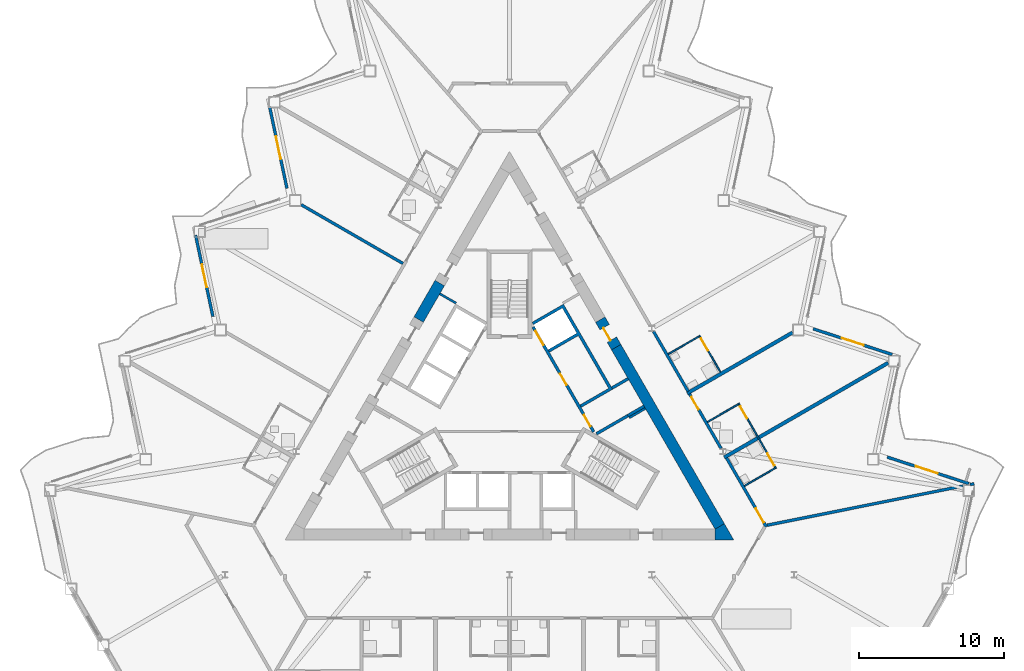
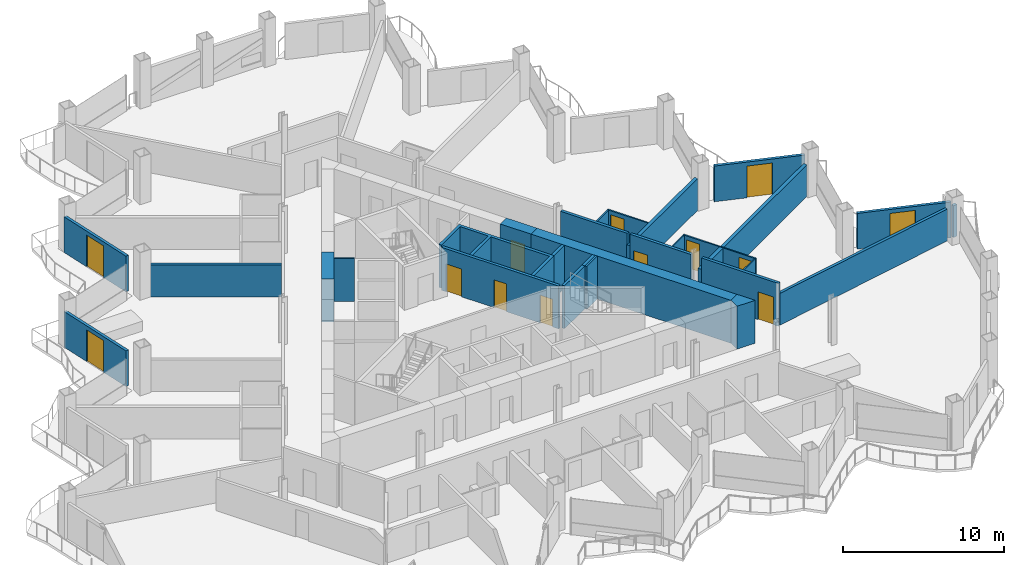
# One storey, part 13 of 23: 28 walls, 13 doors, 13 openings.
"""IFC4 building model written with IfcOpenShell, lengths in metres."""

from ifc_helpers import new_model, si_unit, direction, frame, frame_2d, origin, place, context, subcontext, project, spatial, polyline, rectangle, outline, extrude, material, layer, layer_set, type_object, element, fill, save


model = new_model("IFC4")

# Units and contexts
model_context = context("Model", 3, precision=1e-05, world=origin(), true_north=direction((0.0, 1.0)))
body_context = subcontext(model_context, "Body", "Model", "MODEL_VIEW")
ifc_project = project(units=[si_unit("LENGTHUNIT", "METRE"), si_unit("AREAUNIT", "SQUARE_METRE"), si_unit("VOLUMEUNIT", "CUBIC_METRE"), si_unit("PLANEANGLEUNIT", "RADIAN"), si_unit("MASSUNIT", "GRAM", prefix="KILO")], contexts=[model_context])

# Site, building, storey
site_placement = place(None, origin())
site = spatial("IfcSite", under=ifc_project, at=site_placement, CompositionType="ELEMENT")
building_placement = place(site_placement, origin())
building = spatial("IfcBuilding", under=site, at=building_placement, Name="Cormorant Prow Tower", CompositionType="ELEMENT")
storey_placement = place(building_placement, frame((0.0, 0.0, 172.800048828125)))
storey = spatial("IfcBuildingStorey", under=building, at=storey_placement, Name="L36", CompositionType="ELEMENT", Elevation=172.800048828125)

# Walls
ifc_material_1 = material(Name="Gypsum board partition")
ifc_layer_1 = layer(ifc_material_1, 0.14990234375)
ifc_layer_set_1 = layer_set([ifc_layer_1], Name="Gypsum board partition")
wall_type_1 = type_object("IfcWallType", Name="Core partition 150", PredefinedType="PARTITIONING", material=ifc_layer_set_1)
for number, where, z_axis, x_axis, name in (
    (1, (8.268310546875, -0.509033203125, 0.0), (0.0, 0.0, 1.0), (0.866003189247, 0.500038474733, 0.0), "Service room partition"),
    (2, (-3.693359375, 7.4150390625, 0.0), (0.0, 0.0, 1.0), (-0.866003189247, 0.500038474733, 0.0), "Service room partition"),
):
    element("IfcWall", number, at=place(storey_placement, frame(where, z_axis=z_axis, x_axis=x_axis)), inside=storey, type_object=wall_type_1, Name=name, PredefinedType="PARTITIONING", context=body_context, shape_type="SweptSolid", body=[
        extrude(rectangle(XDim=1.29296875, YDim=0.14990234375, at=frame_2d((0.646484375, 0.0))), origin(), (0.0, 0.0, 1.0), 3.25),
    ])
ifc_material_2 = material(Name="Concrete 8000 psi", Category="concrete")
ifc_layer_2 = layer(ifc_material_2, 0.75)
ifc_layer_set_2 = layer_set([ifc_layer_2], Name="Concrete 8000 psi")
wall_type_2 = type_object("IfcWallType", Name="Core shear wall 750", PredefinedType="SHEAR", material=ifc_layer_set_2)
wall_1_placement = place(storey_placement, frame((14.525634765625, -8.011474609375, 0.0), z_axis=(0.0, 0.0, 1.0), x_axis=(-0.499994855372, 0.866028374016, 0.0)))
element("IfcWall", 3, at=wall_1_placement, inside=storey, type_object=wall_type_2, Name="Core wall", PredefinedType="SHEAR", context=body_context, shape_type="SweptSolid", body=[
    extrude(rectangle(XDim=14.301025390625, YDim=0.75, at=frame_2d((7.150390625, 0.0))), origin(), (0.0, 0.0, 1.0), 3.25),
])
wall_2_placement = place(storey_placement, frame((-4.8173828125, 8.803955078125, 0.0), z_axis=(0.0, 0.0, 1.0), x_axis=(-0.500029273391, -0.866008502124, 0.0)))
element("IfcWall", 4, at=wall_2_placement, inside=storey, type_object=wall_type_2, Name="Core wall", PredefinedType="SHEAR", context=body_context, shape_type="SweptSolid", body=[
    extrude(rectangle(XDim=2.915771484375, YDim=0.75, at=frame_2d((1.4580078125, 0.0))), origin(), (0.0, 0.0, 1.0), 3.25),
])
wall_3_placement = place(storey_placement, origin())
element("IfcWall", 5, at=wall_3_placement, inside=storey, type_object=wall_type_2, Name="Core wall corner", PredefinedType="SHEAR", context=body_context, shape_type="SweptSolid", body=[
    extrude(outline(polyline([(14.200927734375, -8.948974609375), (14.200927734375, -8.198974609375), (14.8505859375, -7.823974609375), (15.5, -8.948974609375), (14.200927734375, -8.948974609375)])), origin(), (0.0, 0.0, 1.0), 3.25),
])

# Wall, opening, door
wall_4_placement = place(storey_placement, frame((7.375244140625, 4.37353515625, 0.0), z_axis=(0.0, 0.0, 1.0), x_axis=(-0.499946605688, 0.86605622881, 0.0)))
wall_4 = element("IfcWall", 6, at=wall_4_placement, inside=storey, type_object=wall_type_2, Name="Core wall door panel", PredefinedType="SHEAR", context=body_context, shape_type="SweptSolid", body=[
    extrude(rectangle(XDim=2.199951171875, YDim=0.75, at=frame_2d((1.10009765625, 0.0))), origin(), (0.0, 0.0, 1.0), 3.25),
])
opening_1_placement = place(wall_4_placement, frame((0.60009765625, 0.0, 0.0)))
opening_1 = element("IfcOpeningElement", 7, at=opening_1_placement, cuts=wall_4, Name="Opening L36-C19", PredefinedType="OPENING", context=body_context, shape_type="SweptSolid", body=[
    extrude(rectangle(XDim=1.0, YDim=2.10009765625, at=frame_2d((0.5, 1.050048828125))), frame((0.0, 0.385009765625, 0.0), z_axis=(0.0, -1.0, 0.0), x_axis=(1.0, 0.0, 0.0)), (0.0, 0.0, 1.0), 0.77001953125),
])
ifc_material_3 = material(Name="Painted steel", Category="steel")
door_type_1 = type_object("IfcDoorType", Name="Service door 1000x2100", OperationType="NOTDEFINED", PredefinedType="DOOR", material=ifc_material_3)
door_1_placement = place(opening_1_placement, origin())
door_1 = element("IfcDoor", 8, at=door_1_placement, inside=storey, type_object=door_type_1, Name="Core door, Telecom room", OperationType="SINGLE_SWING_LEFT", OverallHeight=2.10009765625, OverallWidth=1.0, PredefinedType="DOOR", context=body_context, shape_type="SweptSolid", body=[
    extrude(rectangle(XDim=1.0, YDim=2.10009765625, at=frame_2d((0.5, 1.050048828125))), frame((0.0, 0.1298828125, 0.0), z_axis=(0.0, -1.0, 0.0), x_axis=(1.0, 0.0, 0.0)), (0.0, 0.0, 1.0), 0.050048828125),
])
fill(opening_1, door_1)

ifc_material_4 = material(Name="Gypsum board corridor wall")
ifc_layer_3 = layer(ifc_material_4, 0.199951171875)
ifc_layer_set_3 = layer_set([ifc_layer_3], Name="Gypsum board corridor wall")
wall_type_3 = type_object("IfcWallType", Name="Corridor wall 200", PredefinedType="PARTITIONING", material=ifc_layer_set_3)
wall_5_placement = place(storey_placement, frame((15.001708984375, -3.285888671875, 0.0), z_axis=(0.0, 0.0, 1.0), x_axis=(0.500007607708, -0.866021011428, 0.0)))
wall_5 = element("IfcWall", 9, at=wall_5_placement, inside=storey, type_object=wall_type_3, Name="Corridor wall", PredefinedType="PARTITIONING", context=body_context, shape_type="SweptSolid", body=[
    extrude(rectangle(XDim=5.484375, YDim=0.199951171875, at=frame_2d((2.7421875, 0.0))), origin(), (0.0, 0.0, 1.0), 3.25),
])
opening_2_placement = place(wall_5_placement, frame((4.0322265625, 0.0, 0.0)))
opening_2 = element("IfcOpeningElement", 10, at=opening_2_placement, cuts=wall_5, Name="Opening L36-F14", PredefinedType="OPENING", context=body_context, shape_type="SweptSolid", body=[
    extrude(rectangle(XDim=1.10009765625, YDim=2.10009765625, at=frame_2d((0.550048828125, 1.050048828125))), frame((0.0, 0.10986328125, 0.0), z_axis=(0.0, -1.0, 0.0), x_axis=(1.0, 0.0, 0.0)), (0.0, 0.0, 1.0), 0.219970703125),
])
ifc_material_5 = material(Name="Timber door leaf", Category="wood")
door_type_2 = type_object("IfcDoorType", Name="Suite entrance door 1100x2100", OperationType="NOTDEFINED", PredefinedType="DOOR", material=ifc_material_5)
door_2_placement = place(opening_2_placement, origin())
door_2 = element("IfcDoor", 11, at=door_2_placement, inside=storey, type_object=door_type_2, Name="Junior suite door", OperationType="SINGLE_SWING_RIGHT", OverallHeight=2.10009765625, OverallWidth=1.10009765625, PredefinedType="DOOR", context=body_context, shape_type="SweptSolid", body=[
    extrude(rectangle(XDim=1.10009765625, YDim=2.10009765625, at=frame_2d((0.550048828125, 1.050048828125))), frame((0.0, 0.02490234375, 0.0), z_axis=(0.0, -1.0, 0.0), x_axis=(1.0, 0.0, 0.0)), (0.0, 0.0, 1.0), 0.050048828125),
])
fill(opening_2, door_2)

# Wall
wall_6_placement = place(storey_placement, frame((9.951904296875, 5.460693359375, 0.0), z_axis=(0.0, 0.0, 1.0), x_axis=(0.499990736708, -0.866030751883, 0.0)))
element("IfcWall", 12, at=wall_6_placement, inside=storey, type_object=wall_type_3, Name="Corridor wall", PredefinedType="PARTITIONING", context=body_context, shape_type="SweptSolid", body=[
    extrude(rectangle(XDim=4.77880859375, YDim=0.199951171875, at=frame_2d((2.389404296875, 0.0))), origin(), (0.0, 0.0, 1.0), 3.25),
])

# Wall, opening, door
wall_7_placement = place(storey_placement, frame((12.44384765625, 1.14453125, 0.0), z_axis=(0.0, 0.0, 1.0), x_axis=(0.500007404367, -0.866021128829, 0.0)))
wall_7 = element("IfcWall", 13, at=wall_7_placement, inside=storey, type_object=wall_type_3, Name="Corridor wall", PredefinedType="PARTITIONING", context=body_context, shape_type="SweptSolid", body=[
    extrude(rectangle(XDim=4.35107421875, YDim=0.199951171875, at=frame_2d((2.175537109375, 0.0))), origin(), (0.0, 0.0, 1.0), 3.25),
])
opening_3_placement = place(wall_7_placement, frame((0.25, 0.0, 0.0)))
opening_3 = element("IfcOpeningElement", 14, at=opening_3_placement, cuts=wall_7, Name="Opening L36-F16", PredefinedType="OPENING", context=body_context, shape_type="SweptSolid", body=[
    extrude(rectangle(XDim=1.0, YDim=2.10009765625, at=frame_2d((0.5, 1.050048828125))), frame((0.0, 0.10986328125, 0.0), z_axis=(0.0, -1.0, 0.0), x_axis=(1.0, 0.0, 0.0)), (0.0, 0.0, 1.0), 0.219970703125),
])
ifc_material_6 = material(Name="Timber door leaf", Category="wood")
door_type_3 = type_object("IfcDoorType", Name="Flat or room entrance door 1000x2100", OperationType="NOTDEFINED", PredefinedType="DOOR", material=ifc_material_6)
door_3_placement = place(opening_3_placement, origin())
door_3 = element("IfcDoor", 15, at=door_3_placement, inside=storey, type_object=door_type_3, Name="Guest room door", OperationType="SINGLE_SWING_LEFT", OverallHeight=2.10009765625, OverallWidth=1.0, PredefinedType="DOOR", context=body_context, shape_type="SweptSolid", body=[
    extrude(rectangle(XDim=1.0, YDim=2.10009765625, at=frame_2d((0.5, 1.050048828125))), frame((0.0, 0.02490234375, 0.0), z_axis=(0.0, -1.0, 0.0), x_axis=(1.0, 0.0, 0.0)), (0.0, 0.0, 1.0), 0.050048828125),
])
fill(opening_3, door_3)

# Walls
ifc_material_7 = material(Name="Gypsum board demising wall")
ifc_layer_4 = layer(ifc_material_7, 0.199951171875)
ifc_layer_set_4 = layer_set([ifc_layer_4], Name="Gypsum board demising wall")
wall_type_4 = type_object("IfcWallType", Name="Demising wall 200", PredefinedType="PARTITIONING", material=ifc_layer_set_4)
wall_8_placement = place(storey_placement, frame((17.7919921875, -7.92919921875, 0.0), z_axis=(0.0, 0.0, 1.0), x_axis=(0.980565709097, 0.196190953266, 0.0)))
element("IfcWall", 16, at=wall_8_placement, inside=storey, type_object=wall_type_4, Name="Demising wall", PredefinedType="PARTITIONING", context=body_context, shape_type="SweptSolid", body=[
    extrude(rectangle(XDim=13.805419921875, YDim=0.199951171875, at=frame_2d((6.90283203125, 0.0))), origin(), (0.0, 0.0, 1.0), 2.404052734375),
])
wall_9_placement = place(storey_placement, frame((-14.389892578125, 14.215087890625, 0.0), z_axis=(0.0, 0.0, 1.0), x_axis=(0.86602738064, -0.499996575971, 0.0)))
element("IfcWall", 17, at=wall_9_placement, inside=storey, type_object=wall_type_4, Name="Demising wall", PredefinedType="PARTITIONING", context=body_context, shape_type="SweptSolid", body=[
    extrude(rectangle(XDim=8.12060546875, YDim=0.199951171875, at=frame_2d((4.060302734375, 0.0))), origin(), (0.0, 0.0, 1.0), 2.404052734375),
])
wall_10_placement = place(storey_placement, frame((31.830810546875, -5.120361328125, 0.0), z_axis=(0.0, 0.0, 1.0), x_axis=(0.980512850695, 0.19645495571, 0.0)))
element("IfcWall", 18, at=wall_10_placement, inside=storey, type_object=wall_type_4, Name="Demising wall", PredefinedType="PARTITIONING", context=body_context, shape_type="SweptSolid", body=[
    extrude(rectangle(XDim=0.277099609375, YDim=0.199951171875, at=frame_2d((0.138671875, 0.0))), origin(), (0.0, 0.0, 1.0), 2.404052734375),
])

# Wall, openings, doors
ifc_material_8 = material(Name="Gypsum board partition")
ifc_layer_5 = layer(ifc_material_8, 0.10009765625)
ifc_layer_set_5 = layer_set([ifc_layer_5], Name="Gypsum board partition")
wall_type_5 = type_object("IfcWallType", Name="Internal partition 100", PredefinedType="PARTITIONING", material=ifc_layer_set_5)
wall_11_placement = place(storey_placement, frame((15.82080078125, 0.495361328125, 0.0), z_axis=(0.0, 0.0, 1.0), x_axis=(0.500006934395, -0.866021400173, 0.0)))
wall_11 = element("IfcWall", 19, at=wall_11_placement, inside=storey, type_object=wall_type_5, Name="Internal partition", PredefinedType="PARTITIONING", context=body_context, shape_type="SweptSolid", body=[
    extrude(rectangle(XDim=5.2001953125, YDim=0.10009765625, at=frame_2d((2.60009765625, 0.0))), origin(), (0.0, 0.0, 1.0), 2.404052734375),
])
opening_4_placement = place(wall_11_placement, frame((4.0, 0.0, 0.0)))
opening_4 = element("IfcOpeningElement", 20, at=opening_4_placement, cuts=wall_11, Name="Opening L36-F15", PredefinedType="OPENING", context=body_context, shape_type="SweptSolid", body=[
    extrude(rectangle(XDim=0.949951171875, YDim=2.10009765625, at=frame_2d((0.47509765625, 1.050048828125))), frame((0.0, 0.06005859375, 0.0), z_axis=(0.0, -1.0, 0.0), x_axis=(1.0, 0.0, 0.0)), (0.0, 0.0, 1.0), 0.1201171875),
])
opening_5_placement = place(wall_11_placement, frame((0.25, 0.0, 0.0)))
opening_5 = element("IfcOpeningElement", 21, at=opening_5_placement, cuts=wall_11, Name="Opening L36-F17", PredefinedType="OPENING", context=body_context, shape_type="SweptSolid", body=[
    extrude(rectangle(XDim=0.949951171875, YDim=2.10009765625, at=frame_2d((0.47509765625, 1.050048828125))), frame((0.0, 0.06005859375, 0.0), z_axis=(0.0, -1.0, 0.0), x_axis=(1.0, 0.0, 0.0)), (0.0, 0.0, 1.0), 0.1201171875),
])
ifc_material_9 = material(Name="Timber door leaf", Category="wood")
door_type_4 = type_object("IfcDoorType", Name="Bathroom door 950x2100", OperationType="NOTDEFINED", PredefinedType="DOOR", material=ifc_material_9)
door_4_placement = place(opening_4_placement, origin())
door_4 = element("IfcDoor", 22, at=door_4_placement, inside=storey, type_object=door_type_4, Name="Junior suite door", OperationType="SINGLE_SWING_RIGHT", OverallHeight=2.10009765625, OverallWidth=0.949951171875, PredefinedType="DOOR", context=body_context, shape_type="SweptSolid", body=[
    extrude(rectangle(XDim=0.949951171875, YDim=2.10009765625, at=frame_2d((0.47509765625, 1.050048828125))), frame((0.0, 0.02490234375, 0.0), z_axis=(0.0, -1.0, 0.0), x_axis=(1.0, 0.0, 0.0)), (0.0, 0.0, 1.0), 0.050048828125),
])
fill(opening_4, door_4)
door_5_placement = place(opening_5_placement, origin())
door_5 = element("IfcDoor", 23, at=door_5_placement, inside=storey, type_object=door_type_4, Name="Guest room door", OperationType="SINGLE_SWING_LEFT", OverallHeight=2.10009765625, OverallWidth=0.949951171875, PredefinedType="DOOR", context=body_context, shape_type="SweptSolid", body=[
    extrude(rectangle(XDim=0.949951171875, YDim=2.10009765625, at=frame_2d((0.47509765625, 1.050048828125))), frame((0.0, 0.02490234375, 0.0), z_axis=(0.0, -1.0, 0.0), x_axis=(1.0, 0.0, 0.0)), (0.0, 0.0, 1.0), 0.050048828125),
])
fill(opening_5, door_5)

# Wall, opening, door
wall_12_placement = place(storey_placement, frame((13.113037109375, 5.185546875, 0.0), z_axis=(0.0, 0.0, 1.0), x_axis=(0.499963291492, -0.866046596414, 0.0)))
wall_12 = element("IfcWall", 24, at=wall_12_placement, inside=storey, type_object=wall_type_5, Name="Internal partition", PredefinedType="PARTITIONING", context=body_context, shape_type="SweptSolid", body=[
    extrude(rectangle(XDim=2.925048828125, YDim=0.10009765625, at=frame_2d((1.46240234375, 0.0))), origin(), (0.0, 0.0, 1.0), 2.404052734375),
])
opening_6_placement = place(wall_12_placement, frame((0.25, 0.0, 0.0)))
opening_6 = element("IfcOpeningElement", 25, at=opening_6_placement, cuts=wall_12, Name="Opening L36-F19", PredefinedType="OPENING", context=body_context, shape_type="SweptSolid", body=[
    extrude(rectangle(XDim=0.949951171875, YDim=2.10009765625, at=frame_2d((0.47509765625, 1.050048828125))), frame((0.0, 0.06005859375, 0.0), z_axis=(0.0, -1.0, 0.0), x_axis=(1.0, 0.0, 0.0)), (0.0, 0.0, 1.0), 0.1201171875),
])
door_6_placement = place(opening_6_placement, origin())
door_6 = element("IfcDoor", 26, at=door_6_placement, inside=storey, type_object=door_type_4, Name="Executive suite bedroom door", OperationType="SINGLE_SWING_LEFT", OverallHeight=2.10009765625, OverallWidth=0.949951171875, PredefinedType="DOOR", context=body_context, shape_type="SweptSolid", body=[
    extrude(rectangle(XDim=0.949951171875, YDim=2.10009765625, at=frame_2d((0.47509765625, 1.050048828125))), frame((0.0, 0.02490234375, 0.0), z_axis=(0.0, -1.0, 0.0), x_axis=(1.0, 0.0, 0.0)), (0.0, 0.0, 1.0), 0.050048828125),
])
fill(opening_6, door_6)

# Walls
wall_13_placement = place(storey_placement, frame((16.230712890625, -5.214599609375, 0.0), z_axis=(0.0, 0.0, 1.0), x_axis=(0.866057815567, 0.499943856944, 0.0)))
element("IfcWall", 27, at=wall_13_placement, inside=storey, type_object=wall_type_5, Name="Internal partition", PredefinedType="PARTITIONING", context=body_context, shape_type="SweptSolid", body=[
    extrude(rectangle(XDim=2.449951171875, YDim=0.10009765625, at=frame_2d((1.22509765625, 0.0))), origin(), (0.0, 0.0, 1.0), 2.404052734375),
])
wall_14_placement = place(storey_placement, frame((13.680908203125, -0.7978515625, 0.0), z_axis=(0.0, 0.0, 1.0), x_axis=(0.866032905446, 0.499987006516, 0.0)))
element("IfcWall", 28, at=wall_14_placement, inside=storey, type_object=wall_type_5, Name="Internal partition", PredefinedType="PARTITIONING", context=body_context, shape_type="SweptSolid", body=[
    extrude(rectangle(XDim=2.44970703125, YDim=0.10009765625, at=frame_2d((1.224853515625, 0.0))), origin(), (0.0, 0.0, 1.0), 2.404052734375),
])
wall_15_placement = place(storey_placement, frame((10.972900390625, 3.89208984375, 0.0), z_axis=(0.0, 0.0, 1.0), x_axis=(0.866014668023, 0.500018594424, 0.0)))
element("IfcWall", 29, at=wall_15_placement, inside=storey, type_object=wall_type_5, Name="Internal partition", PredefinedType="PARTITIONING", context=body_context, shape_type="SweptSolid", body=[
    extrude(rectangle(XDim=2.4501953125, YDim=0.10009765625, at=frame_2d((1.22509765625, 0.0))), origin(), (0.0, 0.0, 1.0), 2.404052734375),
])

# Wall, openings, doors
ifc_material_10 = material(Name="Concrete 5000 psi", Category="concrete")
ifc_layer_6 = layer(ifc_material_10, 0.199951171875)
ifc_layer_set_6 = layer_set([ifc_layer_6], Name="Concrete 5000 psi")
wall_type_6 = type_object("IfcWallType", Name="Lift lobby wall 200", PredefinedType="SOLIDWALL", material=ifc_layer_set_6)
wall_16_placement = place(storey_placement, frame((5.817138671875, -1.4755859375, 0.0), z_axis=(0.0, 0.0, 1.0), x_axis=(-0.500002616675, 0.866023893041, 0.0)))
wall_16 = element("IfcWall", 30, at=wall_16_placement, inside=storey, type_object=wall_type_6, Name="Lift lobby wall, ENE block", PredefinedType="SOLIDWALL", context=body_context, shape_type="SweptSolid", body=[
    extrude(rectangle(XDim=8.373046875, YDim=0.199951171875, at=frame_2d((4.1865234375, 0.0))), origin(), (0.0, 0.0, 1.0), 3.25),
])
opening_7_placement = place(wall_16_placement, frame((0.4365234375, 0.0, 0.0)))
opening_7 = element("IfcOpeningElement", 31, at=opening_7_placement, cuts=wall_16, Name="Opening L36-C05", PredefinedType="OPENING", context=body_context, shape_type="SweptSolid", body=[
    extrude(rectangle(XDim=0.89990234375, YDim=2.10009765625, at=frame_2d((0.449951171875, 1.050048828125))), frame((0.0, 0.10986328125, 0.0), z_axis=(0.0, -1.0, 0.0), x_axis=(1.0, 0.0, 0.0)), (0.0, 0.0, 1.0), 0.219970703125),
])
opening_8_placement = place(wall_16_placement, frame((3.736572265625, 0.0, 0.0)))
opening_8 = element("IfcOpeningElement", 32, at=opening_8_placement, cuts=wall_16, Name="Opening L36-C06", PredefinedType="OPENING", context=body_context, shape_type="SweptSolid", body=[
    extrude(rectangle(XDim=0.89990234375, YDim=2.10009765625, at=frame_2d((0.449951171875, 1.050048828125))), frame((0.0, 0.10986328125, 0.0), z_axis=(0.0, -1.0, 0.0), x_axis=(1.0, 0.0, 0.0)), (0.0, 0.0, 1.0), 0.219970703125),
])
opening_9_placement = place(wall_16_placement, frame((6.9365234375, 0.0, 0.0)))
opening_9 = element("IfcOpeningElement", 33, at=opening_9_placement, cuts=wall_16, Name="Opening L36-C07", PredefinedType="OPENING", context=body_context, shape_type="SweptSolid", body=[
    extrude(rectangle(XDim=1.10009765625, YDim=2.10009765625, at=frame_2d((0.550048828125, 1.050048828125))), frame((0.0, 0.10986328125, 0.0), z_axis=(0.0, -1.0, 0.0), x_axis=(1.0, 0.0, 0.0)), (0.0, 0.0, 1.0), 0.219970703125),
])
ifc_material_11 = material(Name="Painted steel", Category="steel")
door_type_5 = type_object("IfcDoorType", Name="Lift landing door 1100x2100", OperationType="SLIDING_TO_LEFT", PredefinedType="DOOR", material=ifc_material_11)
door_7_placement = place(opening_9_placement, origin())
door_7 = element("IfcDoor", 34, at=door_7_placement, inside=storey, type_object=door_type_5, Name="Landing door MR1", OperationType="SLIDING_TO_LEFT", OverallHeight=2.10009765625, OverallWidth=1.10009765625, PredefinedType="DOOR", context=body_context, shape_type="SweptSolid", body=[
    extrude(rectangle(XDim=1.10009765625, YDim=2.10009765625, at=frame_2d((0.550048828125, 1.050048828125))), frame((0.0, 0.02490234375, 0.0), z_axis=(0.0, -1.0, 0.0), x_axis=(1.0, 0.0, 0.0)), (0.0, 0.0, 1.0), 0.050048828125),
])
fill(opening_9, door_7)
ifc_material_12 = material(Name="Painted steel", Category="steel")
door_type_6 = type_object("IfcDoorType", Name="Service door 900x2100", OperationType="NOTDEFINED", PredefinedType="DOOR", material=ifc_material_12)
door_8_placement = place(opening_7_placement, origin())
door_8 = element("IfcDoor", 35, at=door_8_placement, inside=storey, type_object=door_type_6, Name="Service door, Linen store", OperationType="SINGLE_SWING_LEFT", OverallHeight=2.10009765625, OverallWidth=0.89990234375, PredefinedType="DOOR", context=body_context, shape_type="SweptSolid", body=[
    extrude(rectangle(XDim=0.89990234375, YDim=2.10009765625, at=frame_2d((0.449951171875, 1.050048828125))), frame((0.0, 0.02490234375, 0.0), z_axis=(0.0, -1.0, 0.0), x_axis=(1.0, 0.0, 0.0)), (0.0, 0.0, 1.0), 0.050048828125),
])
fill(opening_7, door_8)
door_9_placement = place(opening_8_placement, origin())
door_9 = element("IfcDoor", 36, at=door_9_placement, inside=storey, type_object=door_type_6, Name="Service door, Refuse store", OperationType="SINGLE_SWING_LEFT", OverallHeight=2.10009765625, OverallWidth=0.89990234375, PredefinedType="DOOR", context=body_context, shape_type="SweptSolid", body=[
    extrude(rectangle(XDim=0.89990234375, YDim=2.10009765625, at=frame_2d((0.449951171875, 1.050048828125))), frame((0.0, 0.02490234375, 0.0), z_axis=(0.0, -1.0, 0.0), x_axis=(1.0, 0.0, 0.0)), (0.0, 0.0, 1.0), 0.050048828125),
])
fill(opening_8, door_9)

# Walls
ifc_material_13 = material(Name="Concrete 8000 psi", Category="concrete")
ifc_layer_7 = layer(ifc_material_13, 0.199951171875)
ifc_layer_set_7 = layer_set([ifc_layer_7], Name="Concrete 8000 psi")
wall_type_7 = type_object("IfcWallType", Name="Lift shaft wall 200", PredefinedType="SHEAR", material=ifc_layer_set_7)
wall_17_placement = place(storey_placement, origin())
element("IfcWall", 37, at=wall_17_placement, inside=storey, type_object=wall_type_7, Name="Lift shaft walls, ENE block", PredefinedType="SHEAR", context=body_context, shape_type="SweptSolid", body=[
    extrude(outline(polyline([(1.560546875, 6.09716796875), (3.730712890625, 7.35009765625), (7.130859375, 1.461181640625), (4.96044921875, 0.2080078125), (4.860595703125, 0.38134765625), (6.852294921875, 1.53125), (4.75244140625, 5.168701171875), (2.760498046875, 4.018798828125), (2.660400390625, 4.19189453125), (4.65234375, 5.341796875), (3.65234375, 7.073974609375), (1.660400390625, 5.923828125), (1.560546875, 6.09716796875)])), origin(), (0.0, 0.0, 1.0), 3.25),
])
wall_18_placement = place(storey_placement, origin())
element("IfcWall", 38, at=wall_18_placement, inside=storey, type_object=wall_type_7, Name="Lift shaft walls, ENE block", PredefinedType="SHEAR", context=body_context, shape_type="SweptSolid", body=[
    extrude(outline(polyline([(8.230712890625, -0.444091796875), (6.060546875, -1.697021484375), (5.96044921875, -1.52392578125), (8.130859375, -0.27099609375), (8.230712890625, -0.444091796875)])), origin(), (0.0, 0.0, 1.0), 3.25),
])
for number, where, z_axis, x_axis, name in (
    (39, (8.180908203125, -0.357421875, 0.0), (0.0, 0.0, 1.0), (0.866003189247, 0.500038474733, 0.0), "Store side wall"),
    (40, (7.080810546875, 1.547607421875, 0.0), (0.0, 0.0, 1.0), (0.866003189247, 0.500038474733, 0.0), "Store side wall"),
):
    element("IfcWall", number, at=place(storey_placement, frame(where, z_axis=z_axis, x_axis=x_axis)), inside=storey, type_object=wall_type_7, Name=name, PredefinedType="SHEAR", context=body_context, shape_type="SweptSolid", body=[
        extrude(rectangle(XDim=1.29296875, YDim=0.199951171875, at=frame_2d((0.646484375, 0.0))), origin(), (0.0, 0.0, 1.0), 3.25),
    ])
ifc_material_14 = material(Name="Acoustic gypsum party wall")
ifc_layer_8 = layer(ifc_material_14, 0.25)
ifc_layer_set_8 = layer_set([ifc_layer_8], Name="Acoustic gypsum party wall")
wall_type_8 = type_object("IfcWallType", Name="Suite party wall 250", PredefinedType="PARTITIONING", material=ifc_layer_set_8)
wall_19_placement = place(storey_placement, frame((14.8359375, -3.248779296875, 0.0), z_axis=(0.0, 0.0, 1.0), x_axis=(0.866022412254, 0.500005181446, 0.0)))
element("IfcWall", 41, at=wall_19_placement, inside=storey, type_object=wall_type_8, Name="Suite party wall", PredefinedType="PARTITIONING", context=body_context, shape_type="SweptSolid", body=[
    extrude(rectangle(XDim=13.080810546875, YDim=0.25, at=frame_2d((6.54052734375, 0.0))), origin(), (0.0, 0.0, 1.0), 2.404052734375),
])
wall_20_placement = place(storey_placement, frame((12.278076171875, 1.181640625, 0.0), z_axis=(0.0, 0.0, 1.0), x_axis=(0.866024457297, 0.500001639361, 0.0)))
element("IfcWall", 42, at=wall_20_placement, inside=storey, type_object=wall_type_8, Name="Suite party wall", PredefinedType="PARTITIONING", context=body_context, shape_type="SweptSolid", body=[
    extrude(rectangle(XDim=8.40234375, YDim=0.25, at=frame_2d((4.201171875, 0.0))), origin(), (0.0, 0.0, 1.0), 2.404052734375),
])

# Wall, opening, door
ifc_material_15 = material(Name="Terracotta", Category="masonry")
ifc_layer_9 = layer(ifc_material_15, 0.199951171875)
ifc_layer_set_9 = layer_set([ifc_layer_9], Name="Terracotta")
wall_type_9 = type_object("IfcWallType", Name="Terracotta jamb wall 200", PredefinedType="SOLIDWALL", material=ifc_layer_set_9)
wall_21_placement = place(storey_placement, frame((31.742919921875, -5.05419921875, 0.0), z_axis=(0.0, 0.0, 1.0), x_axis=(-0.951061260164, 0.309002393867, 0.0)))
wall_21 = element("IfcWall", 43, at=wall_21_placement, inside=storey, type_object=wall_type_9, Name="Terracotta jamb wall ENE01", PredefinedType="SOLIDWALL", context=body_context, shape_type="SweptSolid", body=[
    extrude(rectangle(XDim=5.9375, YDim=0.199951171875, at=frame_2d((2.96875, 0.0))), origin(), (0.0, 0.0, 1.0), 2.700927734375),
])
opening_10_placement = place(wall_21_placement, frame((2.263671875, 0.0, 0.0)))
opening_10 = element("IfcOpeningElement", 44, at=opening_10_placement, cuts=wall_21, Name="Opening ED36.06", PredefinedType="OPENING", context=body_context, shape_type="SweptSolid", body=[
    extrude(rectangle(XDim=1.60009765625, YDim=2.39990234375, at=frame_2d((0.800048828125, 1.199951171875))), frame((0.0, 0.10986328125, 0.0), z_axis=(0.0, -1.0, 0.0), x_axis=(1.0, 0.0, 0.0)), (0.0, 0.0, 1.0), 0.219970703125),
])
ifc_material_16 = material(Name="Aluminium 6063-T6", Category="aluminium")
door_type_7 = type_object("IfcDoorType", Name="Balcony door 1600x2400", OperationType="DOUBLE_DOOR_SINGLE_SWING", PredefinedType="DOOR", material=ifc_material_16)
door_10_placement = place(opening_10_placement, origin())
door_10 = element("IfcDoor", 45, at=door_10_placement, inside=storey, type_object=door_type_7, Name="Balcony door ENE01 ED36.06", OperationType="DOUBLE_DOOR_SINGLE_SWING", OverallHeight=2.39990234375, OverallWidth=1.60009765625, PredefinedType="DOOR", context=body_context, shape_type="SweptSolid", body=[
    extrude(rectangle(XDim=1.60009765625, YDim=2.39990234375, at=frame_2d((0.800048828125, 1.199951171875))), frame((0.0, 0.02490234375, 0.0), z_axis=(0.0, -1.0, 0.0), x_axis=(1.0, 0.0, 0.0)), (0.0, 0.0, 1.0), 0.050048828125),
])
fill(opening_10, door_10)

wall_22_placement = place(storey_placement, frame((26.44677734375, 3.864990234375, 0.0), z_axis=(0.0, 0.0, 1.0), x_axis=(-0.951043432761, 0.309057258453, 0.0)))
wall_22 = element("IfcWall", 46, at=wall_22_placement, inside=storey, type_object=wall_type_9, Name="Terracotta jamb wall ENE03", PredefinedType="SOLIDWALL", context=body_context, shape_type="SweptSolid", body=[
    extrude(rectangle(XDim=5.747802734375, YDim=0.199951171875, at=frame_2d((2.8740234375, 0.0))), origin(), (0.0, 0.0, 1.0), 2.700927734375),
])
opening_11_placement = place(wall_22_placement, frame((2.073974609375, 0.0, 0.0)))
opening_11 = element("IfcOpeningElement", 47, at=opening_11_placement, cuts=wall_22, Name="Opening ED36.07", PredefinedType="OPENING", context=body_context, shape_type="SweptSolid", body=[
    extrude(rectangle(XDim=1.60009765625, YDim=2.39990234375, at=frame_2d((0.800048828125, 1.199951171875))), frame((0.0, 0.10986328125, 0.0), z_axis=(0.0, -1.0, 0.0), x_axis=(1.0, 0.0, 0.0)), (0.0, 0.0, 1.0), 0.219970703125),
])
door_11_placement = place(opening_11_placement, origin())
door_11 = element("IfcDoor", 48, at=door_11_placement, inside=storey, type_object=door_type_7, Name="Balcony door ENE03 ED36.07", OperationType="DOUBLE_DOOR_SINGLE_SWING", OverallHeight=2.39990234375, OverallWidth=1.60009765625, PredefinedType="DOOR", context=body_context, shape_type="SweptSolid", body=[
    extrude(rectangle(XDim=1.60009765625, YDim=2.39990234375, at=frame_2d((0.800048828125, 1.199951171875))), frame((0.0, 0.02490234375, 0.0), z_axis=(0.0, -1.0, 0.0), x_axis=(1.0, 0.0, 0.0)), (0.0, 0.0, 1.0), 0.050048828125),
])
fill(opening_11, door_11)

wall_23_placement = place(storey_placement, frame((-16.570556640625, 20.97119140625, 0.0), z_axis=(0.0, 0.0, 1.0), x_axis=(0.207872471739, -0.978155936184, 0.0)))
wall_23 = element("IfcWall", 49, at=wall_23_placement, inside=storey, type_object=wall_type_9, Name="Terracotta jamb wall WNW03", PredefinedType="SOLIDWALL", context=body_context, shape_type="SweptSolid", body=[
    extrude(rectangle(XDim=5.747802734375, YDim=0.199951171875, at=frame_2d((2.8740234375, 0.0))), origin(), (0.0, 0.0, 1.0), 2.700927734375),
])
opening_12_placement = place(wall_23_placement, frame((2.073974609375, 0.0, 0.0)))
opening_12 = element("IfcOpeningElement", 50, at=opening_12_placement, cuts=wall_23, Name="Opening ED36.12", PredefinedType="OPENING", context=body_context, shape_type="SweptSolid", body=[
    extrude(rectangle(XDim=1.60009765625, YDim=2.39990234375, at=frame_2d((0.800048828125, 1.199951171875))), frame((0.0, 0.10986328125, 0.0), z_axis=(0.0, -1.0, 0.0), x_axis=(1.0, 0.0, 0.0)), (0.0, 0.0, 1.0), 0.219970703125),
])
door_12_placement = place(opening_12_placement, origin())
door_12 = element("IfcDoor", 51, at=door_12_placement, inside=storey, type_object=door_type_7, Name="Balcony door WNW03 ED36.12", OperationType="DOUBLE_DOOR_SINGLE_SWING", OverallHeight=2.39990234375, OverallWidth=1.60009765625, PredefinedType="DOOR", context=body_context, shape_type="SweptSolid", body=[
    extrude(rectangle(XDim=1.60009765625, YDim=2.39990234375, at=frame_2d((0.800048828125, 1.199951171875))), frame((0.0, 0.02490234375, 0.0), z_axis=(0.0, -1.0, 0.0), x_axis=(1.0, 0.0, 0.0)), (0.0, 0.0, 1.0), 0.050048828125),
])
fill(opening_12, door_12)

wall_24_placement = place(storey_placement, frame((-21.686279296875, 12.110595703125, 0.0), z_axis=(0.0, 0.0, 1.0), x_axis=(0.207872471739, -0.978155936184, 0.0)))
wall_24 = element("IfcWall", 52, at=wall_24_placement, inside=storey, type_object=wall_type_9, Name="Terracotta jamb wall WNW05", PredefinedType="SOLIDWALL", context=body_context, shape_type="SweptSolid", body=[
    extrude(rectangle(XDim=5.747802734375, YDim=0.199951171875, at=frame_2d((2.8740234375, 0.0))), origin(), (0.0, 0.0, 1.0), 2.700927734375),
])
opening_13_placement = place(wall_24_placement, frame((2.073974609375, 0.0, 0.0)))
opening_13 = element("IfcOpeningElement", 53, at=opening_13_placement, cuts=wall_24, Name="Opening ED36.13", PredefinedType="OPENING", context=body_context, shape_type="SweptSolid", body=[
    extrude(rectangle(XDim=1.60009765625, YDim=2.39990234375, at=frame_2d((0.800048828125, 1.199951171875))), frame((0.0, 0.10986328125, 0.0), z_axis=(0.0, -1.0, 0.0), x_axis=(1.0, 0.0, 0.0)), (0.0, 0.0, 1.0), 0.219970703125),
])
door_13_placement = place(opening_13_placement, origin())
door_13 = element("IfcDoor", 54, at=door_13_placement, inside=storey, type_object=door_type_7, Name="Balcony door WNW05 ED36.13", OperationType="DOUBLE_DOOR_SINGLE_SWING", OverallHeight=2.39990234375, OverallWidth=1.60009765625, PredefinedType="DOOR", context=body_context, shape_type="SweptSolid", body=[
    extrude(rectangle(XDim=1.60009765625, YDim=2.39990234375, at=frame_2d((0.800048828125, 1.199951171875))), frame((0.0, 0.02490234375, 0.0), z_axis=(0.0, -1.0, 0.0), x_axis=(1.0, 0.0, 0.0)), (0.0, 0.0, 1.0), 0.050048828125),
])
fill(opening_13, door_13)

save(model, "model.ifc")
